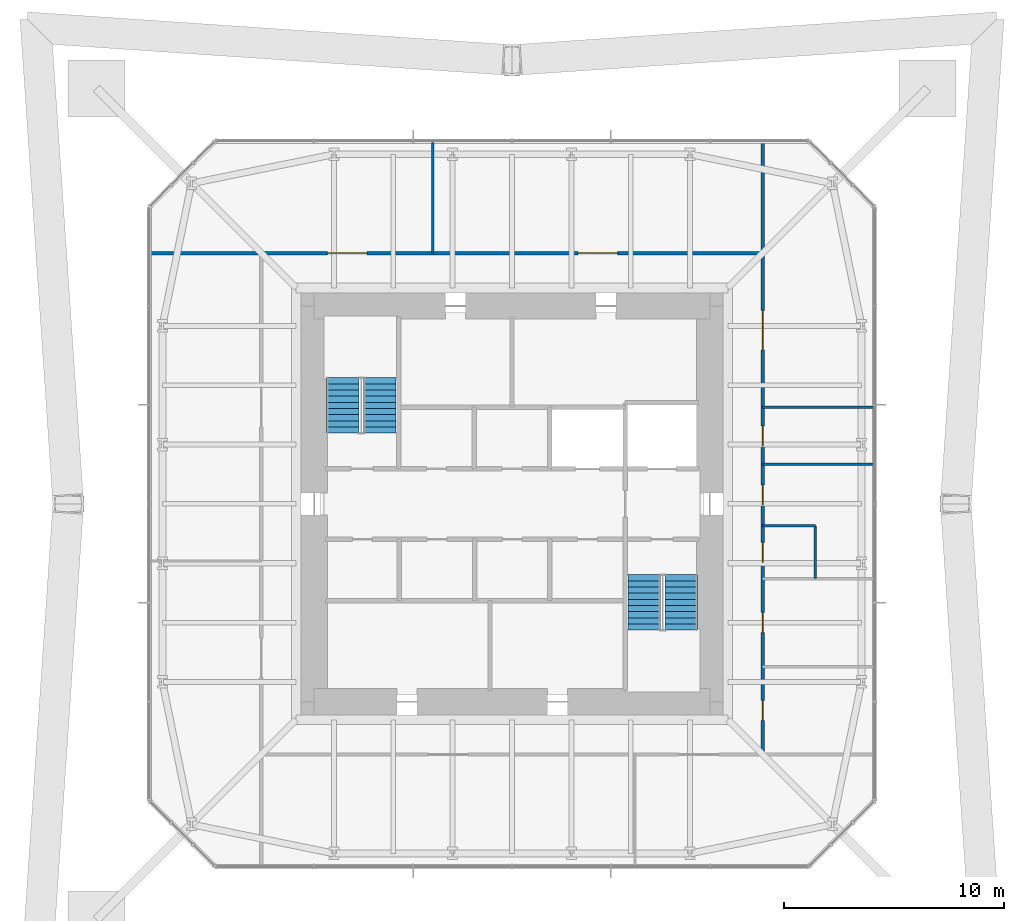
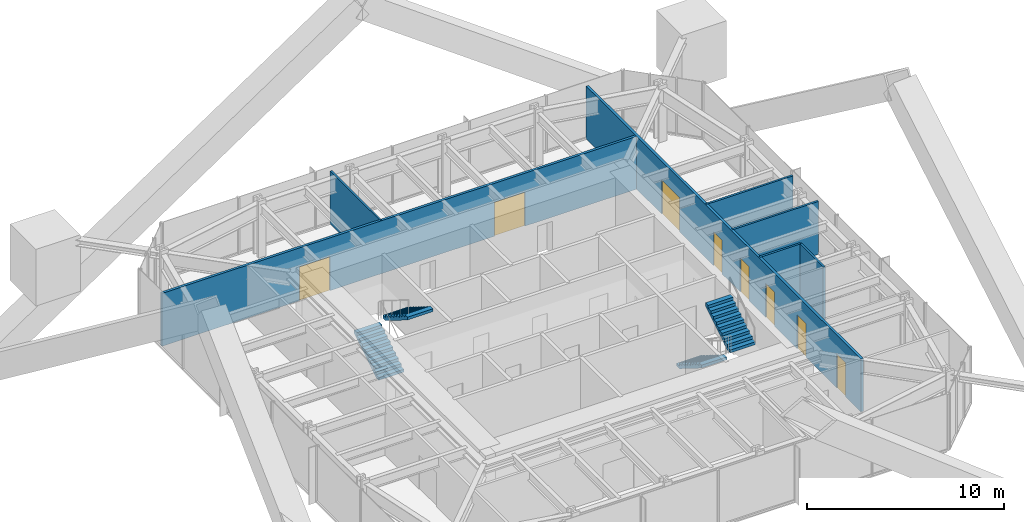
# One storey, part 10 of 11: 8 doors, 7 walls, 4 stair flights, 8 openings, 2 elements without a shape of their own.
"""IFC4 building model written with IfcOpenShell, lengths in metres."""

from ifc_helpers import new_model, si_unit, direction, frame, frame_2d, origin, place, context, subcontext, project, spatial, polyline, rectangle, outline, extrude, material, layer, layer_set, constituent, constituent_set, type_object, element, fill, aggregate, save


model = new_model("IFC4")

# Units and contexts
model_context = context("Model", 3, precision=1e-05, world=origin(), true_north=direction((0.0, 1.0)))
body_context = subcontext(model_context, "Body", "Model", "MODEL_VIEW")
ifc_project = project(units=[si_unit("LENGTHUNIT", "METRE"), si_unit("AREAUNIT", "SQUARE_METRE"), si_unit("VOLUMEUNIT", "CUBIC_METRE"), si_unit("PLANEANGLEUNIT", "RADIAN"), si_unit("MASSUNIT", "GRAM", prefix="KILO")], contexts=[model_context])

# Site, building, storey
site_placement = place(None, origin())
site = spatial("IfcSite", under=ifc_project, at=site_placement, CompositionType="ELEMENT")
building_placement = place(site_placement, origin())
building = spatial("IfcBuilding", under=site, at=building_placement, Name="Iwan Alto Co-Living Towers", CompositionType="ELEMENT")
storey_placement = place(building_placement, frame((0.0, 0.0, 215.0)))
storey = spatial("IfcBuildingStorey", under=building, at=storey_placement, Name="L58", CompositionType="ELEMENT", Elevation=215.0)

# Wall, openings, doors
ifc_material_1 = material(Name="Gypsum board")
ifc_layer_1 = layer(ifc_material_1, 0.02490234375, Name="Board", Category="Finish")
ifc_material_2 = material(Name="Steel ASTM A1003 ST33H cold-formed studs", Category="steel")
ifc_layer_2 = layer(ifc_material_2, 0.10009765625, Name="Studs", Category="Framing")
ifc_layer_3 = layer(ifc_material_1, 0.02490234375, Name="Board", Category="Finish")
ifc_layer_set_1 = layer_set([ifc_layer_1, ifc_layer_2, ifc_layer_3], Name="CORRIDOR WALL 150")
wall_type_1 = type_object("IfcWallType", Name="CORRIDOR WALL 150", PredefinedType="PARTITIONING", material=ifc_layer_set_1)
wall_1_placement = place(storey_placement, frame((-16.43994140625, 11.39990234375, 0.0), z_axis=(0.0, 0.0, 1.0), x_axis=(1.0, 0.0, 0.0)))
wall_1 = element("IfcWall", 1, at=wall_1_placement, inside=storey, type_object=wall_type_1, Name="Partition L58", PredefinedType="PARTITIONING", context=body_context, shape_type="SweptSolid", body=[
    extrude(rectangle(XDim=27.83984375, YDim=0.14990234375, at=frame_2d((13.919921875, 0.0))), origin(), (0.0, 0.0, 1.0), 3.27001953125),
])
opening_1_placement = place(wall_1_placement, frame((19.43994140625, 0.0, 0.0)))
opening_1 = element("IfcOpeningElement", 2, at=opening_1_placement, cuts=wall_1, Name="Opening D9", PredefinedType="OPENING", context=body_context, shape_type="SweptSolid", body=[
    extrude(rectangle(XDim=1.800048828125, YDim=2.10009765625, at=frame_2d((0.89990234375, 1.050048828125))), frame((0.0, 0.0849609375, 0.0), z_axis=(0.0, -1.0, 0.0), x_axis=(1.0, 0.0, 0.0)), (0.0, 0.0, 1.0), 0.169921875),
])
opening_2_placement = place(wall_1_placement, frame((8.0400390625, 0.0, 0.0)))
opening_2 = element("IfcOpeningElement", 3, at=opening_2_placement, cuts=wall_1, Name="Opening D9", PredefinedType="OPENING", context=body_context, shape_type="SweptSolid", body=[
    extrude(rectangle(XDim=1.800048828125, YDim=2.10009765625, at=frame_2d((0.89990234375, 1.050048828125))), frame((0.0, 0.0849609375, 0.0), z_axis=(0.0, -1.0, 0.0), x_axis=(1.0, 0.0, 0.0)), (0.0, 0.0, 1.0), 0.169921875),
])
ifc_material_3 = material(Name="Steel frame with timber leaf", Category="steel")
door_type_1 = type_object("IfcDoorType", Name="LOUNGE DOOR FD30S 1800X2100", OperationType="DOUBLE_DOOR_SINGLE_SWING", PredefinedType="DOOR", material=ifc_material_3)
door_1_placement = place(opening_1_placement, origin())
door_1 = element("IfcDoor", 4, at=door_1_placement, inside=storey, type_object=door_type_1, Name="Library door L58", OperationType="DOUBLE_DOOR_SINGLE_SWING", OverallHeight=2.10009765625, OverallWidth=1.800048828125, PredefinedType="DOOR", context=body_context, shape_type="SweptSolid", body=[
    extrude(rectangle(XDim=1.800048828125, YDim=2.10009765625, at=frame_2d((0.89990234375, 1.050048828125))), frame((0.0, 0.02490234375, 0.0), z_axis=(0.0, -1.0, 0.0), x_axis=(1.0, 0.0, 0.0)), (0.0, 0.0, 1.0), 0.050048828125),
])
fill(opening_1, door_1)
door_2_placement = place(opening_2_placement, origin())
door_2 = element("IfcDoor", 5, at=door_2_placement, inside=storey, type_object=door_type_1, Name="Prayer and quiet room door L58", OperationType="DOUBLE_DOOR_SINGLE_SWING", OverallHeight=2.10009765625, OverallWidth=1.800048828125, PredefinedType="DOOR", context=body_context, shape_type="SweptSolid", body=[
    extrude(rectangle(XDim=1.800048828125, YDim=2.10009765625, at=frame_2d((0.89990234375, 1.050048828125))), frame((0.0, 0.02490234375, 0.0), z_axis=(0.0, -1.0, 0.0), x_axis=(1.0, 0.0, 0.0)), (0.0, 0.0, 1.0), 0.050048828125),
])
fill(opening_2, door_2)

wall_2_placement = place(storey_placement, frame((11.39990234375, -11.39990234375, 0.0), z_axis=(0.0, 0.0, 1.0), x_axis=(0.0, 1.0, 0.0)))
wall_2 = element("IfcWall", 6, at=wall_2_placement, inside=storey, type_object=wall_type_1, Name="Partition L58", PredefinedType="PARTITIONING", context=body_context, shape_type="SweptSolid", body=[
    extrude(rectangle(XDim=27.83984375, YDim=0.14990234375, at=frame_2d((13.919921875, 0.0))), origin(), (0.0, 0.0, 1.0), 3.27001953125),
])
opening_3_placement = place(wall_2_placement, frame((1.550048828125, 0.0, 0.0)))
opening_3 = element("IfcOpeningElement", 7, at=opening_3_placement, cuts=wall_2, Name="Opening D4", PredefinedType="OPENING", context=body_context, shape_type="SweptSolid", body=[
    extrude(rectangle(XDim=0.89990234375, YDim=2.10009765625, at=frame_2d((0.449951171875, 1.050048828125))), frame((0.0, 0.0849609375, 0.0), z_axis=(0.0, -1.0, 0.0), x_axis=(1.0, 0.0, 0.0)), (0.0, 0.0, 1.0), 0.169921875),
])
opening_4_placement = place(wall_2_placement, frame((5.550048828125, 0.0, 0.0)))
opening_4 = element("IfcOpeningElement", 8, at=opening_4_placement, cuts=wall_2, Name="Opening D4", PredefinedType="OPENING", context=body_context, shape_type="SweptSolid", body=[
    extrude(rectangle(XDim=0.89990234375, YDim=2.10009765625, at=frame_2d((0.449951171875, 1.050048828125))), frame((0.0, 0.0849609375, 0.0), z_axis=(0.0, -1.0, 0.0), x_axis=(1.0, 0.0, 0.0)), (0.0, 0.0, 1.0), 0.169921875),
])
opening_5_placement = place(wall_2_placement, frame((8.75, 0.0, 0.0)))
opening_5 = element("IfcOpeningElement", 9, at=opening_5_placement, cuts=wall_2, Name="Opening D4", PredefinedType="OPENING", context=body_context, shape_type="SweptSolid", body=[
    extrude(rectangle(XDim=0.89990234375, YDim=2.10009765625, at=frame_2d((0.449951171875, 1.050048828125))), frame((0.0, 0.0849609375, 0.0), z_axis=(0.0, -1.0, 0.0), x_axis=(1.0, 0.0, 0.0)), (0.0, 0.0, 1.0), 0.169921875),
])
opening_6_placement = place(wall_2_placement, frame((11.35009765625, 0.0, 0.0)))
opening_6 = element("IfcOpeningElement", 10, at=opening_6_placement, cuts=wall_2, Name="Opening D4", PredefinedType="OPENING", context=body_context, shape_type="SweptSolid", body=[
    extrude(rectangle(XDim=0.89990234375, YDim=2.10009765625, at=frame_2d((0.449951171875, 1.050048828125))), frame((0.0, 0.0849609375, 0.0), z_axis=(0.0, -1.0, 0.0), x_axis=(1.0, 0.0, 0.0)), (0.0, 0.0, 1.0), 0.169921875),
])
opening_7_placement = place(wall_2_placement, frame((14.050048828125, 0.0, 0.0)))
opening_7 = element("IfcOpeningElement", 11, at=opening_7_placement, cuts=wall_2, Name="Opening D4", PredefinedType="OPENING", context=body_context, shape_type="SweptSolid", body=[
    extrude(rectangle(XDim=0.89990234375, YDim=2.10009765625, at=frame_2d((0.449951171875, 1.050048828125))), frame((0.0, 0.0849609375, 0.0), z_axis=(0.0, -1.0, 0.0), x_axis=(1.0, 0.0, 0.0)), (0.0, 0.0, 1.0), 0.169921875),
])
opening_8_placement = place(wall_2_placement, frame((18.39990234375, 0.0, 0.0)))
opening_8 = element("IfcOpeningElement", 12, at=opening_8_placement, cuts=wall_2, Name="Opening D9", PredefinedType="OPENING", context=body_context, shape_type="SweptSolid", body=[
    extrude(rectangle(XDim=1.800048828125, YDim=2.10009765625, at=frame_2d((0.89990234375, 1.050048828125))), frame((0.0, 0.0849609375, 0.0), z_axis=(0.0, -1.0, 0.0), x_axis=(1.0, 0.0, 0.0)), (0.0, 0.0, 1.0), 0.169921875),
])
door_3_placement = place(opening_8_placement, frame((1.800048828125, 0.0, 0.0), z_axis=(0.0, 0.0, 1.0), x_axis=(-1.0, 0.0, 0.0)))
door_3 = element("IfcDoor", 13, at=door_3_placement, inside=storey, type_object=door_type_1, Name="Media room door L58", OperationType="DOUBLE_DOOR_SINGLE_SWING", OverallHeight=2.10009765625, OverallWidth=1.800048828125, PredefinedType="DOOR", context=body_context, shape_type="SweptSolid", body=[
    extrude(rectangle(XDim=1.800048828125, YDim=2.10009765625, at=frame_2d((0.89990234375, 1.050048828125))), frame((0.0, 0.02490234375, 0.0), z_axis=(0.0, -1.0, 0.0), x_axis=(1.0, 0.0, 0.0)), (0.0, 0.0, 1.0), 0.050048828125),
])
fill(opening_8, door_3)
ifc_material_4 = material(Name="Timber leaf in steel frame", Category="steel")
door_type_2 = type_object("IfcDoorType", Name="WC DOOR 900X2100", OperationType="SINGLE_SWING_LEFT", PredefinedType="DOOR", material=ifc_material_4)
door_4_placement = place(opening_3_placement, frame((0.89990234375, 0.0, 0.0), z_axis=(0.0, 0.0, 1.0), x_axis=(-1.0, 0.0, 0.0)))
door_4 = element("IfcDoor", 14, at=door_4_placement, inside=storey, type_object=door_type_2, Name="Women's changing room door L58", OperationType="SINGLE_SWING_RIGHT", OverallHeight=2.10009765625, OverallWidth=0.89990234375, PredefinedType="DOOR", context=body_context, shape_type="SweptSolid", body=[
    extrude(rectangle(XDim=0.89990234375, YDim=2.10009765625, at=frame_2d((0.449951171875, 1.050048828125))), frame((0.0, 0.02490234375, 0.0), z_axis=(0.0, -1.0, 0.0), x_axis=(1.0, 0.0, 0.0)), (0.0, 0.0, 1.0), 0.050048828125),
])
fill(opening_3, door_4)
door_5_placement = place(opening_4_placement, frame((0.89990234375, 0.0, 0.0), z_axis=(0.0, 0.0, 1.0), x_axis=(-1.0, 0.0, 0.0)))
door_5 = element("IfcDoor", 15, at=door_5_placement, inside=storey, type_object=door_type_2, Name="Men's changing room door L58", OperationType="SINGLE_SWING_RIGHT", OverallHeight=2.10009765625, OverallWidth=0.89990234375, PredefinedType="DOOR", context=body_context, shape_type="SweptSolid", body=[
    extrude(rectangle(XDim=0.89990234375, YDim=2.10009765625, at=frame_2d((0.449951171875, 1.050048828125))), frame((0.0, 0.02490234375, 0.0), z_axis=(0.0, -1.0, 0.0), x_axis=(1.0, 0.0, 0.0)), (0.0, 0.0, 1.0), 0.050048828125),
])
fill(opening_4, door_5)
door_6_placement = place(opening_5_placement, frame((0.89990234375, 0.0, 0.0), z_axis=(0.0, 0.0, 1.0), x_axis=(-1.0, 0.0, 0.0)))
door_6 = element("IfcDoor", 16, at=door_6_placement, inside=storey, type_object=door_type_2, Name="Accessible WC door L58", OperationType="SINGLE_SWING_RIGHT", OverallHeight=2.10009765625, OverallWidth=0.89990234375, PredefinedType="DOOR", context=body_context, shape_type="SweptSolid", body=[
    extrude(rectangle(XDim=0.89990234375, YDim=2.10009765625, at=frame_2d((0.449951171875, 1.050048828125))), frame((0.0, 0.02490234375, 0.0), z_axis=(0.0, -1.0, 0.0), x_axis=(1.0, 0.0, 0.0)), (0.0, 0.0, 1.0), 0.050048828125),
])
fill(opening_5, door_6)
door_7_placement = place(opening_6_placement, frame((0.89990234375, 0.0, 0.0), z_axis=(0.0, 0.0, 1.0), x_axis=(-1.0, 0.0, 0.0)))
door_7 = element("IfcDoor", 17, at=door_7_placement, inside=storey, type_object=door_type_2, Name="Women's toilets door L58", OperationType="SINGLE_SWING_RIGHT", OverallHeight=2.10009765625, OverallWidth=0.89990234375, PredefinedType="DOOR", context=body_context, shape_type="SweptSolid", body=[
    extrude(rectangle(XDim=0.89990234375, YDim=2.10009765625, at=frame_2d((0.449951171875, 1.050048828125))), frame((0.0, 0.02490234375, 0.0), z_axis=(0.0, -1.0, 0.0), x_axis=(1.0, 0.0, 0.0)), (0.0, 0.0, 1.0), 0.050048828125),
])
fill(opening_6, door_7)
door_8_placement = place(opening_7_placement, frame((0.89990234375, 0.0, 0.0), z_axis=(0.0, 0.0, 1.0), x_axis=(-1.0, 0.0, 0.0)))
door_8 = element("IfcDoor", 18, at=door_8_placement, inside=storey, type_object=door_type_2, Name="Men's toilets door L58", OperationType="SINGLE_SWING_RIGHT", OverallHeight=2.10009765625, OverallWidth=0.89990234375, PredefinedType="DOOR", context=body_context, shape_type="SweptSolid", body=[
    extrude(rectangle(XDim=0.89990234375, YDim=2.10009765625, at=frame_2d((0.449951171875, 1.050048828125))), frame((0.0, 0.02490234375, 0.0), z_axis=(0.0, -1.0, 0.0), x_axis=(1.0, 0.0, 0.0)), (0.0, 0.0, 1.0), 0.050048828125),
])
fill(opening_7, door_8)

# Walls
ifc_layer_4 = layer(ifc_material_1, 0.012451171875, Name="Board", Category="Finish")
ifc_layer_5 = layer(ifc_material_2, 0.074951171875, Name="Studs", Category="Framing")
ifc_layer_6 = layer(ifc_material_1, 0.012451171875, Name="Board", Category="Finish")
ifc_layer_set_2 = layer_set([ifc_layer_4, ifc_layer_5, ifc_layer_6], Name="PARTITION 100")
wall_type_2 = type_object("IfcWallType", Name="PARTITION 100", PredefinedType="PARTITIONING", material=ifc_layer_set_2)
wall_3_placement = place(storey_placement, frame((-3.60009765625, 11.39990234375, 0.0), z_axis=(0.0, 0.0, 1.0), x_axis=(0.0, 1.0, 0.0)))
element("IfcWall", 19, at=wall_3_placement, inside=storey, type_object=wall_type_2, Name="Partition L58", PredefinedType="PARTITIONING", context=body_context, shape_type="SweptSolid", body=[
    extrude(rectangle(XDim=5.0400390625, YDim=0.10009765625, at=frame_2d((2.52001953125, 0.0))), origin(), (0.0, 0.0, 1.0), 3.27001953125),
])
ifc_material_5 = material(Name="Cement board")
ifc_layer_7 = layer(ifc_material_5, 0.012451171875, Name="Board", Category="Finish")
ifc_layer_8 = layer(ifc_material_2, 0.094970703125, Name="Studs", Category="Framing")
ifc_layer_9 = layer(ifc_material_5, 0.012451171875, Name="Board", Category="Finish")
ifc_layer_set_3 = layer_set([ifc_layer_7, ifc_layer_8, ifc_layer_9], Name="WET AREA PARTITION 120")
wall_type_3 = type_object("IfcWallType", Name="WET AREA PARTITION 120", PredefinedType="PARTITIONING", material=ifc_layer_set_3)
wall_4_placement = place(storey_placement, frame((11.39990234375, -1.0, 0.0), z_axis=(0.0, 0.0, 1.0), x_axis=(1.0, 0.0, 0.0)))
element("IfcWall", 20, at=wall_4_placement, inside=storey, type_object=wall_type_3, Name="Partition L58", PredefinedType="PARTITIONING", context=body_context, shape_type="SweptSolid", body=[
    extrude(rectangle(XDim=2.400146484375, YDim=0.1201171875, at=frame_2d((1.2001953125, 0.0))), origin(), (0.0, 0.0, 1.0), 3.27001953125),
])
for number, where, z_axis, x_axis, name in (
    (21, (11.39990234375, 1.800048828125, 0.0), (0.0, 0.0, 1.0), (1.0, 0.0, 0.0), "Partition L58"),
    (22, (11.39990234375, 4.39990234375, 0.0), (0.0, 0.0, 1.0), (1.0, 0.0, 0.0), "Partition L58"),
):
    element("IfcWall", number, at=place(storey_placement, frame(where, z_axis=z_axis, x_axis=x_axis)), inside=storey, type_object=wall_type_3, Name=name, PredefinedType="PARTITIONING", context=body_context, shape_type="SweptSolid", body=[
        extrude(rectangle(XDim=5.0400390625, YDim=0.1201171875, at=frame_2d((2.52001953125, 0.0))), origin(), (0.0, 0.0, 1.0), 3.27001953125),
    ])
wall_5_placement = place(storey_placement, frame((13.800048828125, -3.39990234375, 0.0), z_axis=(0.0, 0.0, 1.0), x_axis=(0.0, 1.0, 0.0)))
element("IfcWall", 23, at=wall_5_placement, inside=storey, type_object=wall_type_3, Name="Partition L58", PredefinedType="PARTITIONING", context=body_context, shape_type="SweptSolid", body=[
    extrude(rectangle(XDim=2.39990234375, YDim=0.1201171875, at=frame_2d((1.199951171875, 0.0))), origin(), (0.0, 0.0, 1.0), 3.27001953125),
])

# Stair, stair flights
ifc_material_6 = material(Name="Steel ASTM A36", Category="steel")
ifc_constituent_1 = constituent(ifc_material_6, Name="Stringers", Category="LoadBearing")
ifc_material_7 = material(Name="Concrete f'c 30 MPa", Category="concrete")
ifc_constituent_2 = constituent(ifc_material_7, Name="Tread fill", Category="Finish")
ifc_constituent_set_1 = constituent_set(constituents=[ifc_constituent_1, ifc_constituent_2], Name="STAIR 3500 TWO-FLIGHT T1 CORE")
stair_type = type_object("IfcStairType", Name="STAIR 3500 TWO-FLIGHT T1 CORE", PredefinedType="HALF_TURN_STAIR", material=ifc_constituent_set_1)
stair_1_placement = place(storey_placement, origin())
stair_1 = element("IfcStair", 24, at=stair_1_placement, inside=storey, type_object=stair_type, Name="Stair T1-S1 L58 to L59", PredefinedType="HALF_TURN_STAIR")
ifc_constituent_3 = constituent(ifc_material_6, Name="Stringers", Category="LoadBearing")
ifc_constituent_4 = constituent(ifc_material_7, Name="Tread fill", Category="Finish")
ifc_constituent_set_2 = constituent_set(constituents=[ifc_constituent_3, ifc_constituent_4], Name="STAIR FLIGHT 10 RISERS 280 GOING")
stair_flight_type = type_object("IfcStairFlightType", Name="STAIR FLIGHT 10 RISERS 280 GOING", PredefinedType="STRAIGHT", material=ifc_constituent_set_2)
stair_flight_1_placement = place(storey_placement, frame((-7.68994140625, 3.219970703125, 0.0), z_axis=(0.0, 0.0, 1.0), x_axis=(0.0, 1.0, 0.0)))
stair_flight_1 = element("IfcStairFlight", 25, at=stair_flight_1_placement, type_object=stair_flight_type, Name="T1-S1 flight 1", NumberOfRisers=10, NumberOfTreads=9, PredefinedType="STRAIGHT", RiserHeight=0.175, TreadLength=0.28, context=body_context, shape_type="SweptSolid", body=[
    extrude(outline(polyline([(0.0, 0.0), (0.0, 0.175048828125), (0.280029296875, 0.175048828125), (0.280029296875, 0.35009765625), (0.56005859375, 0.35009765625), (0.56005859375, 0.52490234375), (0.840087890625, 0.52490234375), (0.840087890625, 0.699951171875), (1.1201171875, 0.699951171875), (1.1201171875, 0.875), (1.39990234375, 0.875), (1.39990234375, 1.050048828125), (1.679931640625, 1.050048828125), (1.679931640625, 1.22509765625), (1.9599609375, 1.22509765625), (1.9599609375, 1.39990234375), (2.239990234375, 1.39990234375), (2.239990234375, 1.574951171875), (2.52001953125, 1.574951171875), (2.52001953125, 1.75), (2.52001953125, 1.398193359375), (0.28271484375, 0.0), (0.0, 0.0)])), frame((0.0, 0.739990234375, 0.0), z_axis=(0.0, -1.0, 0.0), x_axis=(1.0, 0.0, 0.0)), (0.0, 0.0, 1.0), 1.47998046875),
])
stair_flight_2_placement = place(storey_placement, frame((-6.010009765625, 5.739990234375, 1.75), z_axis=(0.0, 0.0, 1.0), x_axis=(0.0, -1.0, 0.0)))
stair_flight_2 = element("IfcStairFlight", 26, at=stair_flight_2_placement, type_object=stair_flight_type, Name="T1-S1 flight 2", NumberOfRisers=10, NumberOfTreads=9, PredefinedType="STRAIGHT", RiserHeight=0.175, TreadLength=0.28, context=body_context, shape_type="SweptSolid", body=[
    extrude(outline(polyline([(0.0, 0.0), (0.0, 0.175048828125), (0.280029296875, 0.175048828125), (0.280029296875, 0.35009765625), (0.56005859375, 0.35009765625), (0.56005859375, 0.52490234375), (0.840087890625, 0.52490234375), (0.840087890625, 0.699951171875), (1.1201171875, 0.699951171875), (1.1201171875, 0.875), (1.39990234375, 0.875), (1.39990234375, 1.050048828125), (1.679931640625, 1.050048828125), (1.679931640625, 1.22509765625), (1.9599609375, 1.22509765625), (1.9599609375, 1.39990234375), (2.239990234375, 1.39990234375), (2.239990234375, 1.574951171875), (2.52001953125, 1.574951171875), (2.52001953125, 1.75), (2.52001953125, 1.398193359375), (0.28271484375, 0.0), (0.0, 0.0)])), frame((0.0, 0.739990234375, 0.0), z_axis=(0.0, -1.0, 0.0), x_axis=(1.0, 0.0, 0.0)), (0.0, 0.0, 1.0), 1.47998046875),
])
aggregate(stair_1, [stair_flight_1, stair_flight_2])

stair_2_placement = place(storey_placement, origin())
stair_2 = element("IfcStair", 27, at=stair_2_placement, inside=storey, type_object=stair_type, Name="Stair T1-S2 L58 to L59", PredefinedType="HALF_TURN_STAIR")
stair_flight_3_placement = place(storey_placement, frame((6.010009765625, -3.219970703125, 0.0), z_axis=(0.0, 0.0, 1.0), x_axis=(0.0, -1.0, 0.0)))
stair_flight_3 = element("IfcStairFlight", 28, at=stair_flight_3_placement, type_object=stair_flight_type, Name="T1-S2 flight 1", NumberOfRisers=10, NumberOfTreads=9, PredefinedType="STRAIGHT", RiserHeight=0.175, TreadLength=0.28, context=body_context, shape_type="SweptSolid", body=[
    extrude(outline(polyline([(0.0, 0.0), (0.0, 0.175048828125), (0.280029296875, 0.175048828125), (0.280029296875, 0.35009765625), (0.56005859375, 0.35009765625), (0.56005859375, 0.52490234375), (0.840087890625, 0.52490234375), (0.840087890625, 0.699951171875), (1.1201171875, 0.699951171875), (1.1201171875, 0.875), (1.39990234375, 0.875), (1.39990234375, 1.050048828125), (1.679931640625, 1.050048828125), (1.679931640625, 1.22509765625), (1.9599609375, 1.22509765625), (1.9599609375, 1.39990234375), (2.239990234375, 1.39990234375), (2.239990234375, 1.574951171875), (2.52001953125, 1.574951171875), (2.52001953125, 1.75), (2.52001953125, 1.398193359375), (0.28271484375, 0.0), (0.0, 0.0)])), frame((0.0, 0.739990234375, 0.0), z_axis=(0.0, -1.0, 0.0), x_axis=(1.0, 0.0, 0.0)), (0.0, 0.0, 1.0), 1.47998046875),
])
stair_flight_4_placement = place(storey_placement, frame((7.68994140625, -5.739990234375, 1.75), z_axis=(0.0, 0.0, 1.0), x_axis=(0.0, 1.0, 0.0)))
stair_flight_4 = element("IfcStairFlight", 29, at=stair_flight_4_placement, type_object=stair_flight_type, Name="T1-S2 flight 2", NumberOfRisers=10, NumberOfTreads=9, PredefinedType="STRAIGHT", RiserHeight=0.175, TreadLength=0.28, context=body_context, shape_type="SweptSolid", body=[
    extrude(outline(polyline([(0.0, 0.0), (0.0, 0.175048828125), (0.280029296875, 0.175048828125), (0.280029296875, 0.35009765625), (0.56005859375, 0.35009765625), (0.56005859375, 0.52490234375), (0.840087890625, 0.52490234375), (0.840087890625, 0.699951171875), (1.1201171875, 0.699951171875), (1.1201171875, 0.875), (1.39990234375, 0.875), (1.39990234375, 1.050048828125), (1.679931640625, 1.050048828125), (1.679931640625, 1.22509765625), (1.9599609375, 1.22509765625), (1.9599609375, 1.39990234375), (2.239990234375, 1.39990234375), (2.239990234375, 1.574951171875), (2.52001953125, 1.574951171875), (2.52001953125, 1.75), (2.52001953125, 1.398193359375), (0.28271484375, 0.0), (0.0, 0.0)])), frame((0.0, 0.739990234375, 0.0), z_axis=(0.0, -1.0, 0.0), x_axis=(1.0, 0.0, 0.0)), (0.0, 0.0, 1.0), 1.47998046875),
])
aggregate(stair_2, [stair_flight_3, stair_flight_4])

save(model, "model.ifc")
